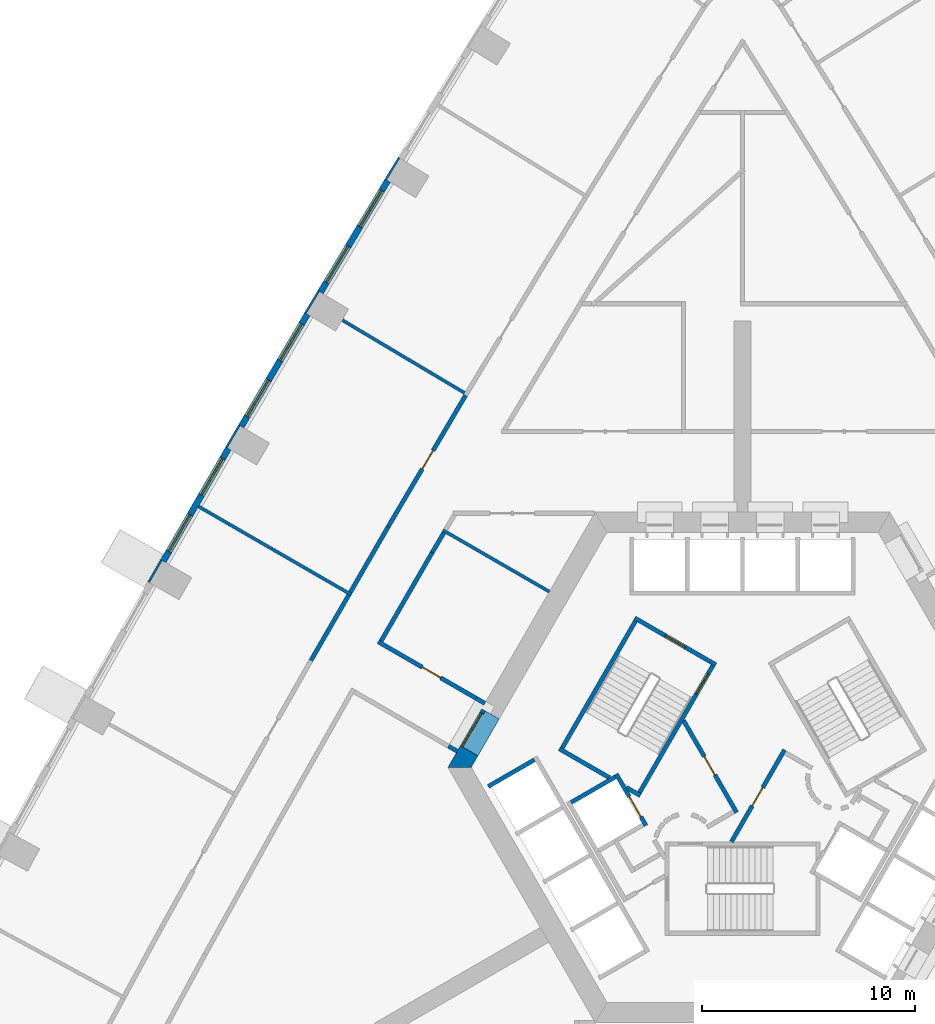
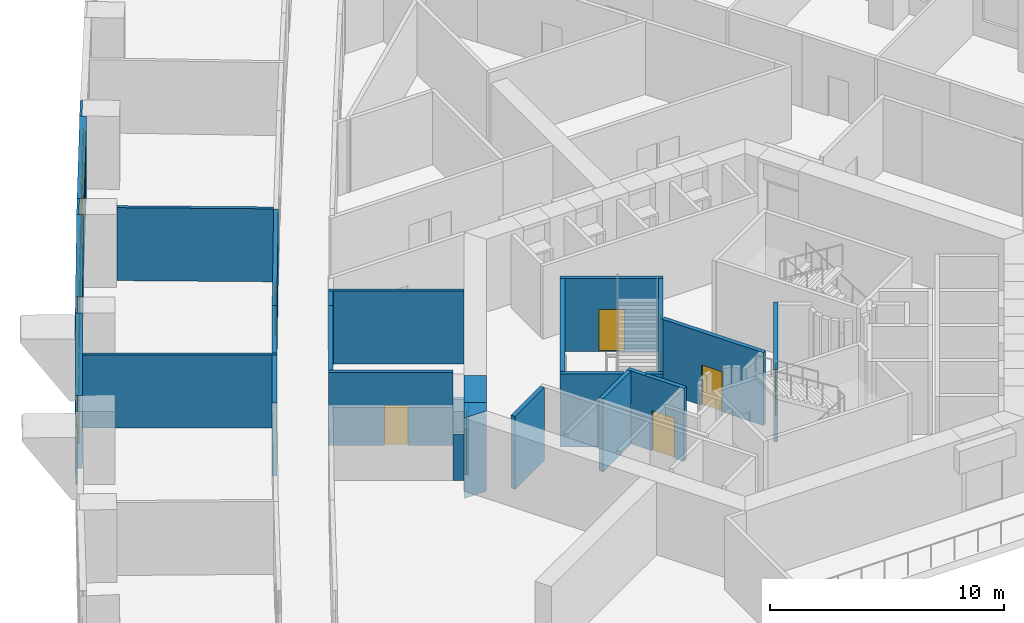
# One storey, part 7 of 17: 31 walls, 8 doors, 6 windows, 14 openings.
"""IFC4 building model written with IfcOpenShell, lengths in metres."""

import ifcopenshell
import ifcopenshell.guid

model = None  # the IFC model being written
_history = None  # IfcOwnerHistory: only IFC2X3 demands one
_inside = {}  # id of a spatial element -> (the spatial element, [elements in it])
_under = {}  # id of a project, library or spatial element -> (it, [spatial elements below it])
_declared = {}  # id of a project -> (the project, [libraries it declares])
_typed = {}  # id of a type object -> (the type object, [elements of that type])
_made_of = {}  # id of a material, layer set ... -> (it, [elements and type objects made of it])


def new_model(schema):
    """Start an empty IFC model of exactly this schema.

    Asked for "IFC4X3", IfcOpenShell would pick the latest addendum, in which some entities
    have other attributes; the version numbers below select the first issue.
    IFC2X3 requires an IfcOwnerHistory on every rooted entity: one is made here for all.
    """
    global model, _history
    if schema == "IFC4X3":
        model = ifcopenshell.file(schema_version=(4, 3, 0, 0))
    else:
        model = ifcopenshell.file(schema=schema)
    _inside.clear()
    _under.clear()
    _declared.clear()
    _typed.clear()
    _made_of.clear()
    _history = None
    if model.schema == "IFC2X3":
        org = make("IfcOrganization", Name="unknown")
        user = make(
            "IfcPersonAndOrganization",
            ThePerson=make("IfcPerson", FamilyName="unknown"),
            TheOrganization=org,
        )
        app = make(
            "IfcApplication",
            ApplicationDeveloper=org,
            Version="unknown",
            ApplicationFullName="unknown",
            ApplicationIdentifier="unknown",
        )
        _history = make(
            "IfcOwnerHistory",
            OwningUser=user,
            OwningApplication=app,
            ChangeAction="ADDED",
            CreationDate=0,
        )
    return model


def make(cls, **values):
    """One entity of the class cls with the attributes given. An attribute that is None is left unset."""
    return model.create_entity(
        cls, **{name: value for name, value in values.items() if value is not None}
    )


def rooted(cls, **values):
    """An entity with a GlobalId (a new one), such as an element, a storey or a relation."""
    return make(cls, GlobalId=ifcopenshell.guid.new(), OwnerHistory=_history, **values)


def si_unit(unit_type, name, prefix=None):
    """IfcSIUnit, for example si_unit("LENGTHUNIT", "METRE", prefix="MILLI")."""
    return make("IfcSIUnit", UnitType=unit_type, Prefix=prefix, Name=name)


def assignment(units):
    """IfcUnitAssignment: the units of a project."""
    return None if units is None else make("IfcUnitAssignment", Units=units)


def point(xyz):
    """IfcCartesianPoint."""
    return None if xyz is None else make("IfcCartesianPoint", Coordinates=xyz)


def direction(xyz):
    """IfcDirection."""
    return None if xyz is None else make("IfcDirection", DirectionRatios=xyz)


def frame(location, z_axis=None, x_axis=None):
    """IfcAxis2Placement3D, a coordinate frame: its origin and axes. An axis left out is left unset."""
    return make(
        "IfcAxis2Placement3D",
        Location=point(location),
        Axis=direction(z_axis),
        RefDirection=direction(x_axis),
    )


def frame_2d(location, x_axis=None):
    """IfcAxis2Placement2D, a coordinate frame in the plane: its origin and x axis."""
    return make(
        "IfcAxis2Placement2D", Location=point(location), RefDirection=direction(x_axis)
    )


def origin():
    """The frame at (0, 0, 0) with its axes left unset."""
    return frame((0.0, 0.0, 0.0))


def place(relative_to, where):
    """IfcLocalPlacement: puts the frame where relative to a parent placement (None: the world)."""
    return make(
        "IfcLocalPlacement", PlacementRelTo=relative_to, RelativePlacement=where
    )


def context(
    kind, dimensions, precision=None, world=None, true_north=None, identifier=None
):
    """IfcGeometricRepresentationContext, for example the 3D "Model" context."""
    return make(
        "IfcGeometricRepresentationContext",
        ContextIdentifier=identifier,
        ContextType=kind,
        CoordinateSpaceDimension=dimensions,
        Precision=precision,
        WorldCoordinateSystem=world,
        TrueNorth=true_north,
    )


def subcontext(parent, identifier, kind, view, scale=None):
    """IfcGeometricRepresentationSubContext, for example "Body" below "Model"."""
    return make(
        "IfcGeometricRepresentationSubContext",
        ContextIdentifier=identifier,
        ContextType=kind,
        ParentContext=parent,
        TargetScale=scale,
        TargetView=view,
    )


def project(units=None, contexts=None):
    """IfcProject with its units and contexts."""
    return rooted(
        "IfcProject",
        Name="project",
        RepresentationContexts=contexts,
        UnitsInContext=assignment(units),
    )


def spatial(cls, under=None, at=None, **own):
    """A site, building, storey or space (cls), placed at a placement, below another one or the project."""
    s = rooted(cls, ObjectPlacement=at, **own)
    if under is not None:
        _under.setdefault(under.id(), (under, []))[1].append(s)
    return s


def polyline(points):
    """IfcPolyline through the points."""
    return make("IfcPolyline", Points=[point(p) for p in points])


def profile(cls, at=None, kind="AREA", **sizes):
    """A parametric profile (cls). Its sizes go by their IFC names, for example OverallWidth=200.0."""
    return make(cls, ProfileType=kind, Position=at, **sizes)


def rectangle(**sizes):
    """IfcRectangleProfileDef."""
    return profile("IfcRectangleProfileDef", **sizes)


def outline(outer, holes=None, kind="AREA"):
    """IfcArbitraryClosedProfileDef: a profile drawn as a closed curve; with holes, ...WithVoids."""
    if holes is None:
        return make("IfcArbitraryClosedProfileDef", ProfileType=kind, OuterCurve=outer)
    return make(
        "IfcArbitraryProfileDefWithVoids",
        ProfileType=kind,
        OuterCurve=outer,
        InnerCurves=holes,
    )


def extrude(swept, where, along, depth):
    """IfcExtrudedAreaSolid: the profile swept, set in the frame where, extruded along a direction by depth."""
    return make(
        "IfcExtrudedAreaSolid",
        SweptArea=swept,
        Position=where,
        ExtrudedDirection=direction(along),
        Depth=depth,
    )


def shape(context_of_items, identifier, shape_type, items):
    """IfcShapeRepresentation: the items that make up one representation, for example the "Body"."""
    return make(
        "IfcShapeRepresentation",
        ContextOfItems=context_of_items,
        RepresentationIdentifier=identifier,
        RepresentationType=shape_type,
        Items=items,
    )


def material(Name=None, Category=None):
    """IfcMaterial."""
    return make("IfcMaterial", Name=Name, Category=Category)


def layer(
    of_material, thickness, ventilated=None, Name=None, Category=None, Priority=None
):
    """IfcMaterialLayer: one layer of a wall or slab, of a material (None: an air gap)."""
    return make(
        "IfcMaterialLayer",
        Material=of_material,
        LayerThickness=thickness,
        IsVentilated=ventilated,
        Name=Name,
        Category=Category,
        Priority=Priority,
    )


def layer_set(layers, Name=None):
    """IfcMaterialLayerSet."""
    return make("IfcMaterialLayerSet", MaterialLayers=layers, LayerSetName=Name)


def made_of(thing, what):
    """Note that an element or type object is made of a material, layer set ...; save() writes the relation."""
    if what is not None:
        _made_of.setdefault(what.id(), (what, []))[1].append(thing)
    return thing


def type_object(cls, material=None, **own):
    """A type object (cls), such as IfcWallType, which elements share."""
    return made_of(rooted(cls, **own), material)


def element(
    cls,
    number,
    at=None,
    inside=None,
    cuts=None,
    type_object=None,
    material=None,
    context=None,
    identifier="Body",
    shape_type=None,
    held_by="IfcProductDefinitionShape",
    body=None,
    shapes=None,
    **own,
):
    """One element of the class cls, such as IfcWall. Its Tag is "e" and its number.

    at: its placement. inside: the storey or other place that contains it. cuts: it is an
    opening in that element (IfcRelVoidsElement). A single representation is given by context,
    identifier, shape_type and body (its items); several are given by shapes. held_by: the class
    of the entity that holds the representations. save() writes the other relations.
    """
    e = rooted(cls, Tag="e%d" % number, ObjectPlacement=at, **own)
    if body is not None:
        shapes = [shape(context, identifier, shape_type, body)]
    if shapes is not None:
        e.Representation = make(held_by, Representations=shapes)
    if inside is not None:
        _inside.setdefault(inside.id(), (inside, []))[1].append(e)
    if cuts is not None:
        rooted(
            "IfcRelVoidsElement", RelatingBuildingElement=cuts, RelatedOpeningElement=e
        )
    if type_object is not None:
        _typed.setdefault(type_object.id(), (type_object, []))[1].append(e)
    return made_of(e, material)


def fill(opening, filler):
    """IfcRelFillsElement: the door or window that sits in an opening."""
    return rooted(
        "IfcRelFillsElement",
        RelatingOpeningElement=opening,
        RelatedBuildingElement=filler,
    )


def aggregate(whole, parts):
    """IfcRelAggregates: a whole, such as a stair, and the parts it consists of."""
    return rooted("IfcRelAggregates", RelatingObject=whole, RelatedObjects=parts)


def save(model, path):
    """Write the relations noted so far, then the file.

    IfcRelAggregates (storeys below a building ...), IfcRelContainedInSpatialStructure (elements
    in a storey), IfcRelDefinesByType, IfcRelAssociatesMaterial and IfcRelDeclares: one each for
    every whole, place, type object, material and project.
    """
    for whole, parts in _under.values():
        aggregate(whole, parts)
    for where, things in _inside.values():
        rooted(
            "IfcRelContainedInSpatialStructure",
            RelatedElements=things,
            RelatingStructure=where,
        )
    for kind, things in _typed.values():
        rooted("IfcRelDefinesByType", RelatedObjects=things, RelatingType=kind)
    for what, things in _made_of.values():
        rooted("IfcRelAssociatesMaterial", RelatedObjects=things, RelatingMaterial=what)
    for by, libraries in _declared.values():
        rooted("IfcRelDeclares", RelatingContext=by, RelatedDefinitions=libraries)
    model.write(path)


model = new_model("IFC4")

# Units and contexts
model_context = context("Model", 3, precision=1e-05, world=origin(), true_north=direction((0.0, 1.0)))
body_context = subcontext(model_context, "Body", "Model", "MODEL_VIEW")
ifc_project = project(units=[si_unit("LENGTHUNIT", "METRE"), si_unit("AREAUNIT", "SQUARE_METRE"), si_unit("VOLUMEUNIT", "CUBIC_METRE"), si_unit("PLANEANGLEUNIT", "RADIAN"), si_unit("MASSUNIT", "GRAM", prefix="KILO")], contexts=[model_context])

# Site, building, storey
site_placement = place(None, origin())
site = spatial("IfcSite", under=ifc_project, at=site_placement, CompositionType="ELEMENT")
building_placement = place(site_placement, origin())
building = spatial("IfcBuilding", under=site, at=building_placement, Name="Entoto Arch Interchange Tower", CompositionType="ELEMENT")
storey_placement = place(building_placement, frame((0.0, 0.0, 72.800048828125)))
storey = spatial("IfcBuildingStorey", under=building, at=storey_placement, Name="L15", CompositionType="ELEMENT", Elevation=72.800048828125)

# Wall, opening, door
ifc_material_1 = material(Name="Reinforced concrete C40/50", Category="concrete")
ifc_layer_1 = layer(ifc_material_1, 0.199951171875)
ifc_layer_set_1 = layer_set([ifc_layer_1], Name="Reinforced concrete C40/50")
wall_type_1 = type_object("IfcWallType", Name="CORE GAP INFILL WALL", PredefinedType="PARTITIONING", material=ifc_layer_set_1)
wall_1_placement = place(storey_placement, frame((-12.179931640625, 5.201904296875, 0.0), z_axis=(0.0, 0.0, 1.0), x_axis=(-0.50002537861, -0.866010750942, 0.0)))
wall_1 = element("IfcWall", 1, at=wall_1_placement, inside=storey, type_object=wall_type_1, Name="wall:L15:gap3", PredefinedType="PARTITIONING", context=body_context, shape_type="SweptSolid", body=[
    extrude(rectangle(XDim=2.0, YDim=0.199951171875, at=frame_2d((1.0, 0.0))), origin(), (0.0, 0.0, 1.0), 2.39990234375),
])
opening_1_placement = place(wall_1_placement, frame((0.18994140625, 0.0, 0.0)))
opening_1 = element("IfcOpeningElement", 2, at=opening_1_placement, cuts=wall_1, Name="Opening L15-D93", PredefinedType="OPENING", context=body_context, shape_type="SweptSolid", body=[
    extrude(rectangle(XDim=1.800048828125, YDim=2.10009765625, at=frame_2d((0.89990234375, 1.050048828125))), frame((0.0, 0.10986328125, 0.0), z_axis=(0.0, -1.0, 0.0), x_axis=(1.0, 0.0, 0.0)), (0.0, 0.0, 1.0), 0.219970703125),
])
ifc_material_2 = material(Name="Fire-rated Steel S235 door and frame", Category="steel")
door_type_1 = type_object("IfcDoorType", Name="DOOR FD-18 1800x2100", OperationType="DOUBLE_DOOR_SINGLE_SWING", PredefinedType="DOOR", material=ifc_material_2)
door_1_placement = place(opening_1_placement, origin())
door_1 = element("IfcDoor", 3, at=door_1_placement, inside=storey, type_object=door_type_1, Name="door:L15:gap3", OperationType="DOUBLE_DOOR_SINGLE_SWING", OverallHeight=2.10009765625, OverallWidth=1.800048828125, PredefinedType="DOOR", context=body_context, shape_type="SweptSolid", body=[
    extrude(rectangle(XDim=1.800048828125, YDim=2.10009765625, at=frame_2d((0.89990234375, 1.050048828125))), frame((0.0, 0.02490234375, 0.0), z_axis=(0.0, -1.0, 0.0), x_axis=(1.0, 0.0, 0.0)), (0.0, 0.0, 1.0), 0.050048828125),
])
fill(opening_1, door_1)

# Walls
ifc_material_3 = material(Name="Concrete C60/75", Category="concrete")
ifc_layer_2 = layer(ifc_material_3, 0.949951171875)
ifc_layer_set_2 = layer_set([ifc_layer_2], Name="Concrete C60/75")
wall_type_2 = type_object("IfcWallType", Name="Core wall 950 C60/75", PredefinedType="SHEAR", material=ifc_layer_set_2)
wall_2_placement = place(storey_placement, frame((0.0, 0.0, -0.400146484375)))
element("IfcWall", 4, at=wall_2_placement, inside=storey, type_object=wall_type_2, Name="Core wall NW L15", PredefinedType="SHEAR", context=body_context, shape_type="SweptSolid", body=[
    extrude(outline(polyline([(-12.444091796875, 3.044921875), (-13.26708984375, 3.52001953125), (-13.85595703125, 2.5), (-12.759033203125, 2.5), (-12.444091796875, 3.044921875)])), origin(), (0.0, 0.0, 1.0), 4.2001953125),
])
wall_3_placement = place(storey_placement, frame((0.0, 0.0, 3.599853515625)))
element("IfcWall", 5, at=wall_3_placement, inside=storey, type_object=wall_type_2, Name="Core wall lintel NW L15", PredefinedType="SHEAR", context=body_context, shape_type="SweptSolid", body=[
    extrude(outline(polyline([(-13.26708984375, 3.52001953125), (-12.444091796875, 3.044921875), (-11.444091796875, 4.777099609375), (-12.26708984375, 5.251953125), (-13.26708984375, 3.52001953125)])), origin(), (0.0, 0.0, 1.0), 0.2001953125),
])

# Wall, opening, door
ifc_material_4 = material(Name="Concrete C40/50", Category="concrete")
ifc_layer_3 = layer(ifc_material_4, 0.199951171875)
ifc_layer_set_3 = layer_set([ifc_layer_3], Name="Concrete C40/50")
wall_type_3 = type_object("IfcWallType", Name="LIFT SHAFT WALL 200", PredefinedType="STANDARD", material=ifc_layer_set_3)
wall_4_placement = place(storey_placement, frame((-5.93994140625, 2.18798828125, 0.0), z_axis=(0.0, 0.0, 1.0), x_axis=(0.49994636267, -0.866056369097, 0.0)))
wall_4 = element("IfcWall", 6, at=wall_4_placement, inside=storey, type_object=wall_type_3, Name="Shaft wall SW1 front", PredefinedType="STANDARD", context=body_context, shape_type="SweptSolid", body=[
    extrude(rectangle(XDim=2.800048828125, YDim=0.199951171875, at=frame_2d((1.39990234375, 0.0))), origin(), (0.0, 0.0, 1.0), 3.800048828125),
])
opening_2_placement = place(wall_4_placement, frame((1.22509765625, 0.0, 0.0)))
opening_2 = element("IfcOpeningElement", 7, at=opening_2_placement, cuts=wall_4, Name="Opening LD-FF2-L15", PredefinedType="OPENING", context=body_context, shape_type="SweptSolid", body=[
    extrude(rectangle(XDim=1.10009765625, YDim=2.10009765625, at=frame_2d((0.550048828125, 1.050048828125))), frame((0.0, 0.10986328125, 0.0), z_axis=(0.0, -1.0, 0.0), x_axis=(1.0, 0.0, 0.0)), (0.0, 0.0, 1.0), 0.219970703125),
])
ifc_material_5 = material(Name="Stainless steel 1.4301 panels", Category="steel")
door_type_2 = type_object("IfcDoorType", Name="LIFT LANDING DOOR LD1 1100x2100", OperationType="SLIDING_TO_LEFT", PredefinedType="DOOR", material=ifc_material_5)
door_2_placement = place(opening_2_placement, origin())
door_2 = element("IfcDoor", 8, at=door_2_placement, inside=storey, type_object=door_type_2, Name="Lift landing door FF2 L15", OperationType="SLIDING_TO_LEFT", OverallHeight=2.10009765625, OverallWidth=1.10009765625, PredefinedType="DOOR", context=body_context, shape_type="SweptSolid", body=[
    extrude(rectangle(XDim=1.10009765625, YDim=2.10009765625, at=frame_2d((0.550048828125, 1.050048828125))), frame((0.0, 0.02490234375, 0.0), z_axis=(0.0, -1.0, 0.0), x_axis=(1.0, 0.0, 0.0)), (0.0, 0.0, 1.0), 0.050048828125),
])
fill(opening_2, door_2)

# Walls
wall_5_placement = place(storey_placement, frame((-5.97705078125, 2.052001953125, 0.0), z_axis=(0.0, 0.0, 1.0), x_axis=(-0.865973769406, -0.500089422704, 0.0)))
element("IfcWall", 9, at=wall_5_placement, inside=storey, type_object=wall_type_3, Name="Shaft wall SW1 cross 1", PredefinedType="STANDARD", context=body_context, shape_type="SweptSolid", body=[
    extrude(rectangle(XDim=2.3994140625, YDim=0.199951171875, at=frame_2d((1.19970703125, 0.0))), origin(), (0.0, 0.0, 1.0), 3.800048828125),
])
wall_6_placement = place(storey_placement, frame((-9.7880859375, 2.85302734375, 0.0), z_axis=(0.0, 0.0, 1.0), x_axis=(-0.865998541277, -0.500046524342, 0.0)))
element("IfcWall", 10, at=wall_6_placement, inside=storey, type_object=wall_type_3, Name="Shaft wall SW3 cross 1", PredefinedType="STANDARD", context=body_context, shape_type="SweptSolid", body=[
    extrude(rectangle(XDim=2.499755859375, YDim=0.199951171875, at=frame_2d((1.25, 0.0))), origin(), (0.0, 0.0, 1.0), 3.800048828125),
])
ifc_material_6 = material(Name="Gypsum board partition on steel studs", Category="steel")
ifc_layer_4 = layer(ifc_material_6, 0.14990234375)
ifc_layer_set_4 = layer_set([ifc_layer_4], Name="Gypsum board partition on steel studs")
wall_type_4 = type_object("IfcWallType", Name="PARTITION 150", PredefinedType="PARTITIONING", material=ifc_layer_set_4)
wall_7_placement = place(storey_placement, frame((-14.091064453125, 13.655029296875, 0.0), z_axis=(0.0, 0.0, 1.0), x_axis=(0.866035778077, -0.499982030767, 0.0)))
element("IfcWall", 11, at=wall_7_placement, inside=storey, type_object=wall_type_4, Name="wall:L15:p090", PredefinedType="PARTITIONING", context=body_context, shape_type="SweptSolid", body=[
    extrude(rectangle(XDim=5.780517578125, YDim=0.14990234375, at=frame_2d((2.89013671875, 0.0))), origin(), (0.0, 0.0, 1.0), 3.800048828125),
])
wall_8_placement = place(storey_placement, frame((-13.072021484375, 20.110107421875, 0.0), z_axis=(0.0, 0.0, 1.0), x_axis=(-0.859168554094, 0.511692676961, 0.0)))
element("IfcWall", 12, at=wall_8_placement, inside=storey, type_object=wall_type_4, Name="wall:L15:p144", PredefinedType="PARTITIONING", context=body_context, shape_type="SweptSolid", body=[
    extrude(rectangle(XDim=6.6796875, YDim=0.14990234375, at=frame_2d((3.33984375, 0.0))), origin(), (0.0, 0.0, 1.0), 3.800048828125),
])
wall_9_placement = place(storey_placement, frame((-18.39599609375, 10.618896484375, 0.0), z_axis=(0.0, 0.0, 1.0), x_axis=(-0.865966132161, 0.500102647413, 0.0)))
element("IfcWall", 13, at=wall_9_placement, inside=storey, type_object=wall_type_4, Name="wall:L15:p145", PredefinedType="PARTITIONING", context=body_context, shape_type="SweptSolid", body=[
    extrude(rectangle(XDim=8.300537109375, YDim=0.14990234375, at=frame_2d((4.150390625, 0.0))), origin(), (0.0, 0.0, 1.0), 3.800048828125),
])
ifc_layer_5 = layer(ifc_material_6, 0.199951171875)
ifc_layer_set_5 = layer_set([ifc_layer_5], Name="Gypsum board partition on steel studs")
wall_type_5 = type_object("IfcWallType", Name="PARTITION 200", PredefinedType="PARTITIONING", material=ifc_layer_set_5)
wall_10_placement = place(storey_placement, frame((-14.0419921875, 13.541015625, 0.0), z_axis=(0.0, 0.0, 1.0), x_axis=(-0.507733830316, -0.861513991501, 0.0)))
element("IfcWall", 14, at=wall_10_placement, inside=storey, type_object=wall_type_5, Name="wall:L15:p001", PredefinedType="PARTITIONING", context=body_context, shape_type="SweptSolid", body=[
    extrude(rectangle(XDim=1.091064453125, YDim=0.199951171875, at=frame_2d((0.54541015625, 0.0))), origin(), (0.0, 0.0, 1.0), 3.800048828125),
])
wall_11_placement = place(storey_placement, frame((-14.595947265625, 12.60107421875, 0.0), z_axis=(0.0, 0.0, 1.0), x_axis=(-0.500017431331, -0.866015339567, 0.0)))
element("IfcWall", 15, at=wall_11_placement, inside=storey, type_object=wall_type_5, Name="wall:L15:p002", PredefinedType="PARTITIONING", context=body_context, shape_type="SweptSolid", body=[
    extrude(rectangle(XDim=4.800048828125, YDim=0.199951171875, at=frame_2d((2.39990234375, 0.0))), origin(), (0.0, 0.0, 1.0), 3.800048828125),
])

# Wall, opening, door
wall_12_placement = place(storey_placement, frame((-17.133056640625, 8.407958984375, 0.0), z_axis=(0.0, 0.0, 1.0), x_axis=(0.866005140137, -0.500035096025, 0.0)))
wall_12 = element("IfcWall", 16, at=wall_12_placement, inside=storey, type_object=wall_type_5, Name="wall:L15:p003", PredefinedType="PARTITIONING", context=body_context, shape_type="SweptSolid", body=[
    extrude(rectangle(XDim=5.3173828125, YDim=0.199951171875, at=frame_2d((2.65869140625, 0.0))), origin(), (0.0, 0.0, 1.0), 3.800048828125),
])
opening_3_placement = place(wall_12_placement, frame((2.39599609375, 0.0, 0.0)))
opening_3 = element("IfcOpeningElement", 17, at=opening_3_placement, cuts=wall_12, Name="Opening L15-D30", PredefinedType="OPENING", context=body_context, shape_type="SweptSolid", body=[
    extrude(rectangle(XDim=1.0, YDim=2.10009765625, at=frame_2d((0.5, 1.050048828125))), frame((0.0, 0.10986328125, 0.0), z_axis=(0.0, -1.0, 0.0), x_axis=(1.0, 0.0, 0.0)), (0.0, 0.0, 1.0), 0.219970703125),
])
ifc_material_7 = material(Name="Timber door leaf in Steel S235 frame", Category="steel")
door_type_3 = type_object("IfcDoorType", Name="DOOR DS-10 1000x2100", OperationType="SINGLE_SWING_LEFT", PredefinedType="DOOR", material=ifc_material_7)
door_3_placement = place(opening_3_placement, origin())
door_3 = element("IfcDoor", 18, at=door_3_placement, inside=storey, type_object=door_type_3, Name="door:L15:30", OperationType="SINGLE_SWING_LEFT", OverallHeight=2.10009765625, OverallWidth=1.0, PredefinedType="DOOR", context=body_context, shape_type="SweptSolid", body=[
    extrude(rectangle(XDim=1.0, YDim=2.10009765625, at=frame_2d((0.5, 1.050048828125))), frame((0.0, 0.02490234375, 0.0), z_axis=(0.0, -1.0, 0.0), x_axis=(1.0, 0.0, 0.0)), (0.0, 0.0, 1.0), 0.050048828125),
])
fill(opening_3, door_3)

# Walls
wall_13_placement = place(storey_placement, frame((-13.4169921875, 3.260009765625, 0.0), z_axis=(0.0, 0.0, 1.0), x_axis=(-0.865929261247, 0.500166486798, 0.0)))
element("IfcWall", 19, at=wall_13_placement, inside=storey, type_object=wall_type_5, Name="wall:L15:p029", PredefinedType="PARTITIONING", context=body_context, shape_type="SweptSolid", body=[
    extrude(rectangle(XDim=0.475830078125, YDim=0.199951171875, at=frame_2d((0.23779296875, 0.0))), origin(), (0.0, 0.0, 1.0), 2.39990234375),
])
wall_14_placement = place(storey_placement, frame((-18.445068359375, 10.73388671875, 0.0), z_axis=(0.0, 0.0, 1.0), x_axis=(0.499900903336, 0.866082609711, 0.0)))
element("IfcWall", 20, at=wall_14_placement, inside=storey, type_object=wall_type_5, Name="wall:L15:p064", PredefinedType="PARTITIONING", context=body_context, shape_type="SweptSolid", body=[
    extrude(rectangle(XDim=3.552978515625, YDim=0.199951171875, at=frame_2d((1.7763671875, 0.0))), origin(), (0.0, 0.0, 1.0), 3.800048828125),
])

# Wall, opening, door
wall_15_placement = place(storey_placement, frame((-16.6689453125, 13.81103515625, 0.0), z_axis=(0.0, 0.0, 1.0), x_axis=(0.507777955495, 0.861487984776, 0.0)))
wall_15 = element("IfcWall", 21, at=wall_15_placement, inside=storey, type_object=wall_type_5, Name="wall:L15:p065", PredefinedType="PARTITIONING", context=body_context, shape_type="SweptSolid", body=[
    extrude(rectangle(XDim=7.178466796875, YDim=0.199951171875, at=frame_2d((3.58935546875, 0.0))), origin(), (0.0, 0.0, 1.0), 3.800048828125),
])
opening_4_placement = place(wall_15_placement, frame((3.1640625, 0.0, 0.0)))
opening_4 = element("IfcOpeningElement", 22, at=opening_4_placement, cuts=wall_15, Name="Opening L15-D14", PredefinedType="OPENING", context=body_context, shape_type="SweptSolid", body=[
    extrude(rectangle(XDim=1.0, YDim=2.10009765625, at=frame_2d((0.5, 1.050048828125))), frame((0.0, 0.10986328125, 0.0), z_axis=(0.0, -1.0, 0.0), x_axis=(1.0, 0.0, 0.0)), (0.0, 0.0, 1.0), 0.219970703125),
])
door_4_placement = place(opening_4_placement, origin())
door_4 = element("IfcDoor", 23, at=door_4_placement, inside=storey, type_object=door_type_3, Name="door:L15:14", OperationType="SINGLE_SWING_LEFT", OverallHeight=2.10009765625, OverallWidth=1.0, PredefinedType="DOOR", context=body_context, shape_type="SweptSolid", body=[
    extrude(rectangle(XDim=1.0, YDim=2.10009765625, at=frame_2d((0.5, 1.050048828125))), frame((0.0, 0.02490234375, 0.0), z_axis=(0.0, -1.0, 0.0), x_axis=(1.0, 0.0, 0.0)), (0.0, 0.0, 1.0), 0.050048828125),
])
fill(opening_4, door_4)

# Wall
wall_16_placement = place(storey_placement, frame((-20.2958984375, 7.530029296875, 0.0), z_axis=(0.0, 0.0, 1.0), x_axis=(0.500236350306, 0.865888903863, 0.0)))
element("IfcWall", 24, at=wall_16_placement, inside=storey, type_object=wall_type_5, Name="wall:L15:p067", PredefinedType="PARTITIONING", context=body_context, shape_type="SweptSolid", body=[
    extrude(rectangle(XDim=3.550048828125, YDim=0.199951171875, at=frame_2d((1.77490234375, 0.0))), origin(), (0.0, 0.0, 1.0), 3.800048828125),
])

# Wall, opening, door
wall_17_placement = place(storey_placement, frame((-0.52001953125, -1.0, 0.0), z_axis=(0.0, 0.0, 1.0), x_axis=(0.50011622646, 0.865958290007, 0.0)))
wall_17 = element("IfcWall", 25, at=wall_17_placement, inside=storey, type_object=wall_type_5, Name="wall:L15:p093", PredefinedType="PARTITIONING", context=body_context, shape_type="SweptSolid", body=[
    extrude(rectangle(XDim=4.990966796875, YDim=0.199951171875, at=frame_2d((2.49560546875, 0.0))), origin(), (0.0, 0.0, 1.0), 3.800048828125),
])
opening_5_placement = place(wall_17_placement, frame((1.945068359375, 0.0, 0.0)))
opening_5 = element("IfcOpeningElement", 26, at=opening_5_placement, cuts=wall_17, Name="Opening L15-D33", PredefinedType="OPENING", context=body_context, shape_type="SweptSolid", body=[
    extrude(rectangle(XDim=1.0, YDim=2.10009765625, at=frame_2d((0.5, 1.050048828125))), frame((0.0, 0.10986328125, 0.0), z_axis=(0.0, -1.0, 0.0), x_axis=(1.0, 0.0, 0.0)), (0.0, 0.0, 1.0), 0.219970703125),
])
door_type_4 = type_object("IfcDoorType", Name="DOOR FD-10 1000x2100", OperationType="SINGLE_SWING_LEFT", PredefinedType="DOOR", material=ifc_material_2)
door_5_placement = place(opening_5_placement, origin())
door_5 = element("IfcDoor", 27, at=door_5_placement, inside=storey, type_object=door_type_4, Name="door:L15:33", OperationType="SINGLE_SWING_LEFT", OverallHeight=2.10009765625, OverallWidth=1.0, PredefinedType="DOOR", context=body_context, shape_type="SweptSolid", body=[
    extrude(rectangle(XDim=1.0, YDim=2.10009765625, at=frame_2d((0.5, 1.050048828125))), frame((0.0, 0.02490234375, 0.0), z_axis=(0.0, -1.0, 0.0), x_axis=(1.0, 0.0, 0.0)), (0.0, 0.0, 1.0), 0.050048828125),
])
fill(opening_5, door_5)

wall_18_placement = place(storey_placement, frame((-2.77099609375, 4.699951171875, 0.0), z_axis=(0.0, 0.0, 1.0), x_axis=(0.499969479948, -0.866043023828, 0.0)))
wall_18 = element("IfcWall", 28, at=wall_18_placement, inside=storey, type_object=wall_type_5, Name="wall:L15:p101", PredefinedType="PARTITIONING", context=body_context, shape_type="SweptSolid", body=[
    extrude(rectangle(XDim=4.990478515625, YDim=0.199951171875, at=frame_2d((2.4951171875, 0.0))), origin(), (0.0, 0.0, 1.0), 3.800048828125),
])
opening_6_placement = place(wall_18_placement, frame((1.945068359375, 0.0, 0.0)))
opening_6 = element("IfcOpeningElement", 29, at=opening_6_placement, cuts=wall_18, Name="Opening L15-D34", PredefinedType="OPENING", context=body_context, shape_type="SweptSolid", body=[
    extrude(rectangle(XDim=1.0, YDim=2.10009765625, at=frame_2d((0.5, 1.050048828125))), frame((0.0, 0.10986328125, 0.0), z_axis=(0.0, -1.0, 0.0), x_axis=(1.0, 0.0, 0.0)), (0.0, 0.0, 1.0), 0.219970703125),
])
door_6_placement = place(opening_6_placement, origin())
door_6 = element("IfcDoor", 30, at=door_6_placement, inside=storey, type_object=door_type_4, Name="door:L15:34", OperationType="SINGLE_SWING_RIGHT", OverallHeight=2.10009765625, OverallWidth=1.0, PredefinedType="DOOR", context=body_context, shape_type="SweptSolid", body=[
    extrude(rectangle(XDim=1.0, YDim=2.10009765625, at=frame_2d((0.5, 1.050048828125))), frame((0.0, 0.02490234375, 0.0), z_axis=(0.0, -1.0, 0.0), x_axis=(1.0, 0.0, 0.0)), (0.0, 0.0, 1.0), 0.050048828125),
])
fill(opening_6, door_6)

# Wall
wall_19_placement = place(storey_placement, frame((-12.528076171875, 5.7490234375, 0.0), z_axis=(0.0, 0.0, 1.0), x_axis=(0.866305462299, -0.499514610387, 0.0)))
element("IfcWall", 31, at=wall_19_placement, inside=storey, type_object=wall_type_5, Name="wall:L15:p003", PredefinedType="PARTITIONING", context=body_context, shape_type="SweptSolid", body=[
    extrude(rectangle(XDim=0.474609375, YDim=0.199951171875, at=frame_2d((0.2373046875, 0.0))), origin(), (0.0, 0.0, 1.0), 2.39990234375),
])

# Wall, opening, door
ifc_layer_6 = layer(ifc_material_4, 0.199951171875)
ifc_layer_set_6 = layer_set([ifc_layer_6], Name="Concrete C40/50")
wall_type_6 = type_object("IfcWallType", Name="STAIR ENCLOSURE WALL 200", PredefinedType="STANDARD", material=ifc_layer_set_6)
wall_20_placement = place(storey_placement, frame((-1.256103515625, 7.323974609375, 0.0), z_axis=(0.0, 0.0, 1.0), x_axis=(-0.866046073146, 0.499964197906, 0.0)))
wall_20 = element("IfcWall", 32, at=wall_20_placement, inside=storey, type_object=wall_type_6, Name="Stair wall ST-NW near", PredefinedType="STANDARD", context=body_context, shape_type="SweptSolid", body=[
    extrude(rectangle(XDim=4.400146484375, YDim=0.199951171875, at=frame_2d((2.2001953125, 0.0))), origin(), (0.0, 0.0, 1.0), 3.800048828125),
])
opening_7_placement = place(wall_20_placement, frame((1.64990234375, 0.0, 0.0)))
opening_7 = element("IfcOpeningElement", 33, at=opening_7_placement, cuts=wall_20, Name="Opening SD-ST-NW-L15-E", PredefinedType="OPENING", context=body_context, shape_type="SweptSolid", body=[
    extrude(rectangle(XDim=1.10009765625, YDim=2.199951171875, at=frame_2d((0.550048828125, 1.10009765625))), frame((0.0, 0.10986328125, 0.0), z_axis=(0.0, -1.0, 0.0), x_axis=(1.0, 0.0, 0.0)), (0.0, 0.0, 1.0), 0.219970703125),
])
ifc_material_8 = material(Name="Steel S235", Category="steel")
door_type_5 = type_object("IfcDoorType", Name="STAIR DOOR SD1 1100x2200", OperationType="SINGLE_SWING_LEFT", PredefinedType="DOOR", material=ifc_material_8)
door_7_placement = place(opening_7_placement, origin())
door_7 = element("IfcDoor", 34, at=door_7_placement, inside=storey, type_object=door_type_5, Name="Stair door ST-NW L15 end", OperationType="SINGLE_SWING_LEFT", OverallHeight=2.199951171875, OverallWidth=1.10009765625, PredefinedType="DOOR", context=body_context, shape_type="SweptSolid", body=[
    extrude(rectangle(XDim=1.10009765625, YDim=2.199951171875, at=frame_2d((0.550048828125, 1.10009765625))), frame((0.0, 0.02490234375, 0.0), z_axis=(0.0, -1.0, 0.0), x_axis=(1.0, 0.0, 0.0)), (0.0, 0.0, 1.0), 0.050048828125),
])
fill(opening_7, door_7)

# Walls
wall_21_placement = place(storey_placement, frame((-6.25, 2.010009765625, 0.0), z_axis=(0.0, 0.0, 1.0), x_axis=(-0.86611865017, 0.499838457731, 0.0)))
element("IfcWall", 35, at=wall_21_placement, inside=storey, type_object=wall_type_6, Name="Stair wall ST-NW far", PredefinedType="STANDARD", context=body_context, shape_type="SweptSolid", body=[
    extrude(rectangle(XDim=2.73291015625, YDim=0.199951171875, at=frame_2d((1.366455078125, 0.0))), origin(), (0.0, 0.0, 1.0), 3.800048828125),
])
wall_22_placement = place(storey_placement, frame((-4.805908203125, 1.176025390625, 0.0), z_axis=(0.0, 0.0, 1.0), x_axis=(-0.866558586415, 0.499075361355, 0.0)))
element("IfcWall", 36, at=wall_22_placement, inside=storey, type_object=wall_type_6, Name="Stair wall ST-NW far return", PredefinedType="STANDARD", context=body_context, shape_type="SweptSolid", body=[
    extrude(rectangle(XDim=0.75146484375, YDim=0.199951171875, at=frame_2d((0.375732421875, 0.0))), origin(), (0.0, 0.0, 1.0), 3.800048828125),
])

# Wall, opening, door
wall_23_placement = place(storey_placement, frame((-1.39306640625, 7.2880859375, 0.0), z_axis=(0.0, 0.0, 1.0), x_axis=(-0.499963383562, -0.866046543262, 0.0)))
wall_23 = element("IfcWall", 37, at=wall_23_placement, inside=storey, type_object=wall_type_6, Name="Stair wall ST-NW hall", PredefinedType="STANDARD", context=body_context, shape_type="SweptSolid", body=[
    extrude(rectangle(XDim=6.900390625, YDim=0.199951171875, at=frame_2d((3.4501953125, 0.0))), origin(), (0.0, 0.0, 1.0), 3.800048828125),
])
opening_8_placement = place(wall_23_placement, frame((0.449951171875, 0.0, 0.0)))
opening_8 = element("IfcOpeningElement", 38, at=opening_8_placement, cuts=wall_23, Name="Opening SD-ST-NW-L15", PredefinedType="OPENING", context=body_context, shape_type="SweptSolid", body=[
    extrude(rectangle(XDim=1.10009765625, YDim=2.199951171875, at=frame_2d((0.550048828125, 1.10009765625))), frame((0.0, 0.10986328125, 0.0), z_axis=(0.0, -1.0, 0.0), x_axis=(1.0, 0.0, 0.0)), (0.0, 0.0, 1.0), 0.219970703125),
])
door_8_placement = place(opening_8_placement, origin())
door_8 = element("IfcDoor", 39, at=door_8_placement, inside=storey, type_object=door_type_5, Name="Stair door ST-NW L15", OperationType="SINGLE_SWING_LEFT", OverallHeight=2.199951171875, OverallWidth=1.10009765625, PredefinedType="DOOR", context=body_context, shape_type="SweptSolid", body=[
    extrude(rectangle(XDim=1.10009765625, YDim=2.199951171875, at=frame_2d((0.550048828125, 1.10009765625))), frame((0.0, 0.02490234375, 0.0), z_axis=(0.0, -1.0, 0.0), x_axis=(1.0, 0.0, 0.0)), (0.0, 0.0, 1.0), 0.050048828125),
])
fill(opening_8, door_8)

# Wall
wall_24_placement = place(storey_placement, frame((-5.030029296875, 9.387939453125, 0.0), z_axis=(0.0, 0.0, 1.0), x_axis=(-0.499978703459, -0.866037698999, 0.0)))
element("IfcWall", 40, at=wall_24_placement, inside=storey, type_object=wall_type_6, Name="Stair wall ST-NW back", PredefinedType="STANDARD", context=body_context, shape_type="SweptSolid", body=[
    extrude(rectangle(XDim=6.900146484375, YDim=0.199951171875, at=frame_2d((3.4501953125, 0.0))), origin(), (0.0, 0.0, 1.0), 3.800048828125),
])

# Wall, openings, windows
ifc_material_9 = material(Name="Welded tuff (ignimbrite) cladding, warm buff", Category="masonry")
ifc_layer_7 = layer(ifc_material_9, 0.300048828125)
ifc_layer_set_7 = layer_set([ifc_layer_7], Name="Welded tuff (ignimbrite) cladding, warm buff")
wall_type_7 = type_object("IfcWallType", Name="STONE INFILL WALL 300", PredefinedType="STANDARD", material=ifc_layer_set_7)
wall_25_placement = place(storey_placement, frame((-16.68994140625, 30.096923828125, 0.0), z_axis=(0.0, 0.0, 1.0), x_axis=(-0.515690089348, -0.856775193238, 0.0)))
wall_25 = element("IfcWall", 41, at=wall_25_placement, inside=storey, type_object=wall_type_7, Name="Facade wall NW-03 L15", PredefinedType="STANDARD", context=body_context, shape_type="SweptSolid", body=[
    extrude(rectangle(XDim=6.1298828125, YDim=0.300048828125, at=frame_2d((3.06494140625, 0.0))), origin(), (0.0, 0.0, 1.0), 3.800048828125),
])
opening_9_placement = place(wall_25_placement, frame((0.531982421875, 0.0, 0.89990234375)))
opening_9 = element("IfcOpeningElement", 42, at=opening_9_placement, cuts=wall_25, Name="Opening WO-C", PredefinedType="OPENING", context=body_context, shape_type="SweptSolid", body=[
    extrude(rectangle(XDim=2.0, YDim=2.60009765625, at=frame_2d((1.0, 1.300048828125))), frame((0.0, 0.16015625, 0.0), z_axis=(0.0, -1.0, 0.0), x_axis=(1.0, 0.0, 0.0)), (0.0, 0.0, 1.0), 0.320068359375),
])
opening_10_placement = place(wall_25_placement, frame((3.596923828125, 0.0, 0.89990234375)))
opening_10 = element("IfcOpeningElement", 43, at=opening_10_placement, cuts=wall_25, Name="Opening WO-C", PredefinedType="OPENING", context=body_context, shape_type="SweptSolid", body=[
    extrude(rectangle(XDim=2.0, YDim=2.60009765625, at=frame_2d((1.0, 1.300048828125))), frame((0.0, 0.16015625, 0.0), z_axis=(0.0, -1.0, 0.0), x_axis=(1.0, 0.0, 0.0)), (0.0, 0.0, 1.0), 0.320068359375),
])
ifc_material_10 = material(Name="Clear glass, low-e double glazed", Category="glass")
window_type = type_object("IfcWindowType", Name="WINDOW WO-C 2000x2600", PartitioningType="DOUBLE_PANEL_VERTICAL", PredefinedType="WINDOW", material=ifc_material_10)
window_1_placement = place(opening_9_placement, origin())
window_1 = element("IfcWindow", 44, at=window_1_placement, inside=storey, type_object=window_type, Name="Window WO-C NW-03 L15", OverallHeight=2.60009765625, OverallWidth=2.0, PartitioningType="SINGLE_PANEL", PredefinedType="WINDOW", context=body_context, shape_type="SweptSolid", body=[
    extrude(rectangle(XDim=2.0, YDim=2.60009765625, at=frame_2d((1.0, 1.300048828125))), frame((0.0, 0.030029296875, 0.0), z_axis=(0.0, -1.0, 0.0), x_axis=(1.0, 0.0, 0.0)), (0.0, 0.0, 1.0), 0.06005859375),
])
fill(opening_9, window_1)
window_2_placement = place(opening_10_placement, origin())
window_2 = element("IfcWindow", 45, at=window_2_placement, inside=storey, type_object=window_type, Name="Window WO-C NW-03 L15", OverallHeight=2.60009765625, OverallWidth=2.0, PartitioningType="SINGLE_PANEL", PredefinedType="WINDOW", context=body_context, shape_type="SweptSolid", body=[
    extrude(rectangle(XDim=2.0, YDim=2.60009765625, at=frame_2d((1.0, 1.300048828125))), frame((0.0, 0.030029296875, 0.0), z_axis=(0.0, -1.0, 0.0), x_axis=(1.0, 0.0, 0.0)), (0.0, 0.0, 1.0), 0.06005859375),
])
fill(opening_10, window_2)

wall_26_placement = place(storey_placement, frame((-20.464111328125, 23.81591796875, 0.0), z_axis=(0.0, 0.0, 1.0), x_axis=(-0.507716058644, -0.861524465001, 0.0)))
wall_26 = element("IfcWall", 46, at=wall_26_placement, inside=storey, type_object=wall_type_7, Name="Facade wall NW-04 L15", PredefinedType="STANDARD", context=body_context, shape_type="SweptSolid", body=[
    extrude(rectangle(XDim=6.130859375, YDim=0.300048828125, at=frame_2d((3.0654296875, 0.0))), origin(), (0.0, 0.0, 1.0), 3.800048828125),
])
opening_11_placement = place(wall_26_placement, frame((0.532958984375, 0.0, 0.89990234375)))
opening_11 = element("IfcOpeningElement", 47, at=opening_11_placement, cuts=wall_26, Name="Opening WO-C", PredefinedType="OPENING", context=body_context, shape_type="SweptSolid", body=[
    extrude(rectangle(XDim=2.0, YDim=2.60009765625, at=frame_2d((1.0, 1.300048828125))), frame((0.0, 0.16015625, 0.0), z_axis=(0.0, -1.0, 0.0), x_axis=(1.0, 0.0, 0.0)), (0.0, 0.0, 1.0), 0.320068359375),
])
opening_12_placement = place(wall_26_placement, frame((3.597900390625, 0.0, 0.89990234375)))
opening_12 = element("IfcOpeningElement", 48, at=opening_12_placement, cuts=wall_26, Name="Opening WO-C", PredefinedType="OPENING", context=body_context, shape_type="SweptSolid", body=[
    extrude(rectangle(XDim=2.0, YDim=2.60009765625, at=frame_2d((1.0, 1.300048828125))), frame((0.0, 0.16015625, 0.0), z_axis=(0.0, -1.0, 0.0), x_axis=(1.0, 0.0, 0.0)), (0.0, 0.0, 1.0), 0.320068359375),
])
window_3_placement = place(opening_11_placement, origin())
window_3 = element("IfcWindow", 49, at=window_3_placement, inside=storey, type_object=window_type, Name="Window WO-C NW-04 L15", OverallHeight=2.60009765625, OverallWidth=2.0, PartitioningType="SINGLE_PANEL", PredefinedType="WINDOW", context=body_context, shape_type="SweptSolid", body=[
    extrude(rectangle(XDim=2.0, YDim=2.60009765625, at=frame_2d((1.0, 1.300048828125))), frame((0.0, 0.030029296875, 0.0), z_axis=(0.0, -1.0, 0.0), x_axis=(1.0, 0.0, 0.0)), (0.0, 0.0, 1.0), 0.06005859375),
])
fill(opening_11, window_3)
window_4_placement = place(opening_12_placement, origin())
window_4 = element("IfcWindow", 50, at=window_4_placement, inside=storey, type_object=window_type, Name="Window WO-C NW-04 L15", OverallHeight=2.60009765625, OverallWidth=2.0, PartitioningType="SINGLE_PANEL", PredefinedType="WINDOW", context=body_context, shape_type="SweptSolid", body=[
    extrude(rectangle(XDim=2.0, YDim=2.60009765625, at=frame_2d((1.0, 1.300048828125))), frame((0.0, 0.030029296875, 0.0), z_axis=(0.0, -1.0, 0.0), x_axis=(1.0, 0.0, 0.0)), (0.0, 0.0, 1.0), 0.06005859375),
])
fill(opening_12, window_4)

wall_27_placement = place(storey_placement, frame((-24.180908203125, 17.5, 0.0), z_axis=(0.0, 0.0, 1.0), x_axis=(-0.499998239139, -0.866026420416, 0.0)))
wall_27 = element("IfcWall", 51, at=wall_27_placement, inside=storey, type_object=wall_type_7, Name="Facade wall NW-05 L15", PredefinedType="STANDARD", context=body_context, shape_type="SweptSolid", body=[
    extrude(rectangle(XDim=6.13037109375, YDim=0.300048828125, at=frame_2d((3.065185546875, 0.0))), origin(), (0.0, 0.0, 1.0), 3.800048828125),
])
opening_13_placement = place(wall_27_placement, frame((0.532958984375, 0.0, 0.89990234375)))
opening_13 = element("IfcOpeningElement", 52, at=opening_13_placement, cuts=wall_27, Name="Opening WO-C", PredefinedType="OPENING", context=body_context, shape_type="SweptSolid", body=[
    extrude(rectangle(XDim=2.0, YDim=2.60009765625, at=frame_2d((1.0, 1.300048828125))), frame((0.0, 0.16015625, 0.0), z_axis=(0.0, -1.0, 0.0), x_axis=(1.0, 0.0, 0.0)), (0.0, 0.0, 1.0), 0.320068359375),
])
opening_14_placement = place(wall_27_placement, frame((3.597900390625, 0.0, 0.89990234375)))
opening_14 = element("IfcOpeningElement", 53, at=opening_14_placement, cuts=wall_27, Name="Opening WO-C", PredefinedType="OPENING", context=body_context, shape_type="SweptSolid", body=[
    extrude(rectangle(XDim=2.0, YDim=2.60009765625, at=frame_2d((1.0, 1.300048828125))), frame((0.0, 0.16015625, 0.0), z_axis=(0.0, -1.0, 0.0), x_axis=(1.0, 0.0, 0.0)), (0.0, 0.0, 1.0), 0.320068359375),
])
window_5_placement = place(opening_13_placement, origin())
window_5 = element("IfcWindow", 54, at=window_5_placement, inside=storey, type_object=window_type, Name="Window WO-C NW-05 L15", OverallHeight=2.60009765625, OverallWidth=2.0, PartitioningType="SINGLE_PANEL", PredefinedType="WINDOW", context=body_context, shape_type="SweptSolid", body=[
    extrude(rectangle(XDim=2.0, YDim=2.60009765625, at=frame_2d((1.0, 1.300048828125))), frame((0.0, 0.030029296875, 0.0), z_axis=(0.0, -1.0, 0.0), x_axis=(1.0, 0.0, 0.0)), (0.0, 0.0, 1.0), 0.06005859375),
])
fill(opening_13, window_5)
window_6_placement = place(opening_14_placement, origin())
window_6 = element("IfcWindow", 55, at=window_6_placement, inside=storey, type_object=window_type, Name="Window WO-C NW-05 L15", OverallHeight=2.60009765625, OverallWidth=2.0, PartitioningType="SINGLE_PANEL", PredefinedType="WINDOW", context=body_context, shape_type="SweptSolid", body=[
    extrude(rectangle(XDim=2.0, YDim=2.60009765625, at=frame_2d((1.0, 1.300048828125))), frame((0.0, 0.030029296875, 0.0), z_axis=(0.0, -1.0, 0.0), x_axis=(1.0, 0.0, 0.0)), (0.0, 0.0, 1.0), 0.06005859375),
])
fill(opening_14, window_6)

# Walls
ifc_layer_8 = layer(ifc_material_9, 0.10009765625)
ifc_layer_set_8 = layer_set([ifc_layer_8], Name="Welded tuff (ignimbrite) cladding, warm buff")
wall_type_8 = type_object("IfcWallType", Name="STONE PIER CLADDING 100", PredefinedType="STANDARD", material=ifc_layer_set_8)
wall_28_placement = place(storey_placement, frame((-16.153076171875, 31.174072265625, 0.0), z_axis=(0.0, 0.0, 1.0), x_axis=(-0.521507599072, -0.853246637327, 0.0)))
element("IfcWall", 56, at=wall_28_placement, inside=storey, type_object=wall_type_8, Name="Stone pier NW03 L15", PredefinedType="STANDARD", context=body_context, shape_type="SweptSolid", body=[
    extrude(rectangle(XDim=1.200439453125, YDim=0.10009765625, at=frame_2d((0.60009765625, 0.0))), origin(), (0.0, 0.0, 1.0), 3.800048828125),
])
wall_29_placement = place(storey_placement, frame((-19.93798828125, 24.89794921875, 0.0), z_axis=(0.0, 0.0, 1.0), x_axis=(-0.513238760752, -0.858245870635, 0.0)))
element("IfcWall", 57, at=wall_29_placement, inside=storey, type_object=wall_type_8, Name="Stone pier NW04 L15", PredefinedType="STANDARD", context=body_context, shape_type="SweptSolid", body=[
    extrude(rectangle(XDim=1.2001953125, YDim=0.10009765625, at=frame_2d((0.60009765625, 0.0))), origin(), (0.0, 0.0, 1.0), 3.800048828125),
])
wall_30_placement = place(storey_placement, frame((-23.6650390625, 18.5869140625, 0.0), z_axis=(0.0, 0.0, 1.0), x_axis=(-0.504313844903, -0.863520437418, 0.0)))
element("IfcWall", 58, at=wall_30_placement, inside=storey, type_object=wall_type_8, Name="Stone pier NW05 L15", PredefinedType="STANDARD", context=body_context, shape_type="SweptSolid", body=[
    extrude(rectangle(XDim=1.19970703125, YDim=0.10009765625, at=frame_2d((0.599853515625, 0.0))), origin(), (0.0, 0.0, 1.0), 3.800048828125),
])
wall_31_placement = place(storey_placement, frame((-27.3349609375, 12.242919921875, 0.0), z_axis=(0.0, 0.0, 1.0), x_axis=(-0.495854054996, -0.868405870629, 0.0)))
element("IfcWall", 59, at=wall_31_placement, inside=storey, type_object=wall_type_8, Name="Stone pier NW06 L15", PredefinedType="STANDARD", context=body_context, shape_type="SweptSolid", body=[
    extrude(rectangle(XDim=1.199951171875, YDim=0.10009765625, at=frame_2d((0.60009765625, 0.0))), origin(), (0.0, 0.0, 1.0), 3.800048828125),
])

save(model, "model.ifc")
